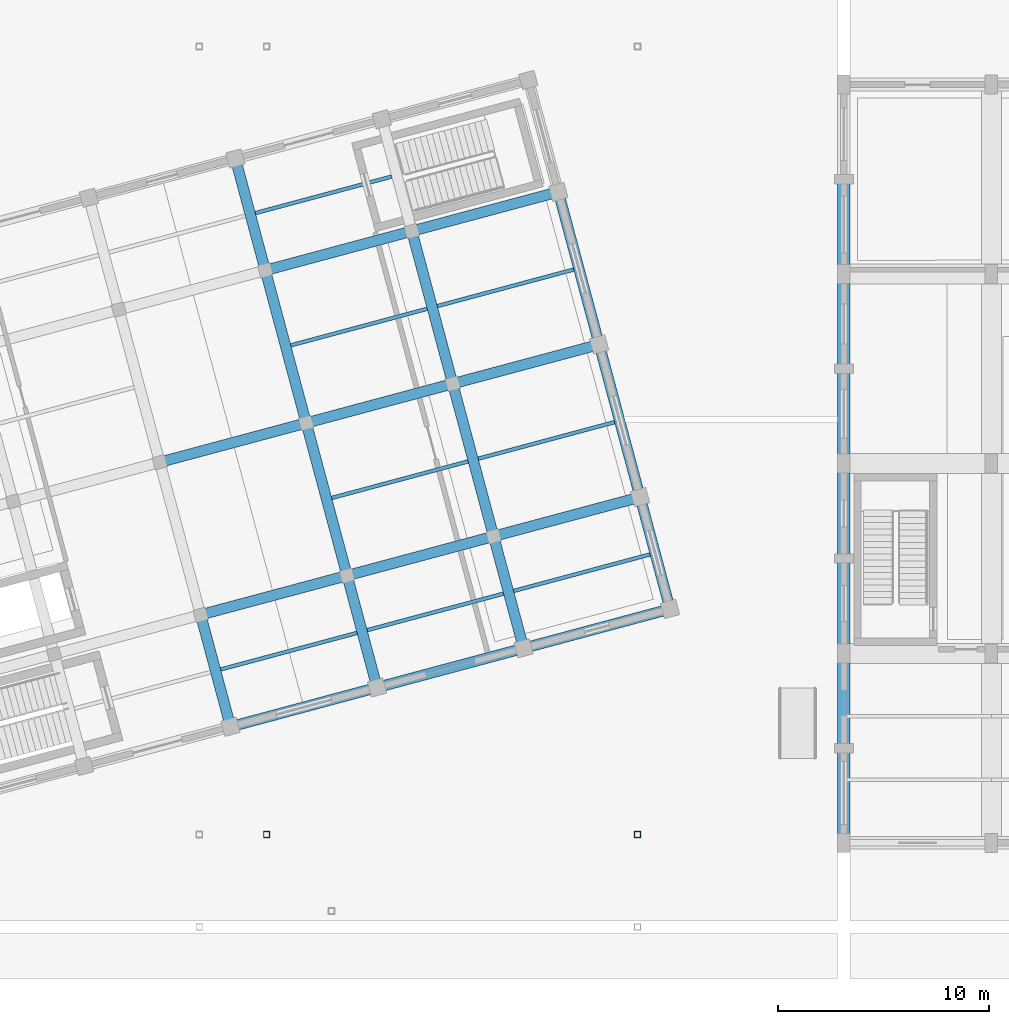
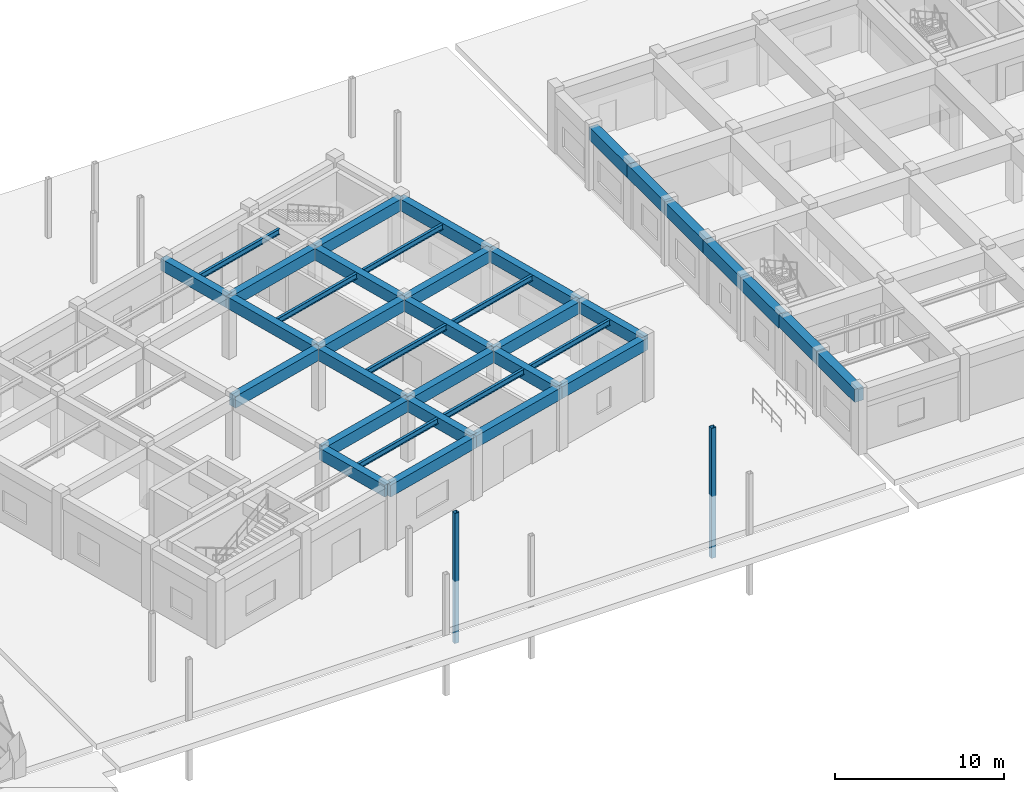
# One storey, part 24 of 47: 37 beams, 2 members.
"""IFC4 building model written with IfcOpenShell, lengths in metres."""

import ifcopenshell
import ifcopenshell.guid

model = None  # the IFC model being written
_history = None  # IfcOwnerHistory: only IFC2X3 demands one
_inside = {}  # id of a spatial element -> (the spatial element, [elements in it])
_under = {}  # id of a project, library or spatial element -> (it, [spatial elements below it])
_declared = {}  # id of a project -> (the project, [libraries it declares])
_typed = {}  # id of a type object -> (the type object, [elements of that type])
_made_of = {}  # id of a material, layer set ... -> (it, [elements and type objects made of it])


def new_model(schema):
    """Start an empty IFC model of exactly this schema.

    Asked for "IFC4X3", IfcOpenShell would pick the latest addendum, in which some entities
    have other attributes; the version numbers below select the first issue.
    IFC2X3 requires an IfcOwnerHistory on every rooted entity: one is made here for all.
    """
    global model, _history
    if schema == "IFC4X3":
        model = ifcopenshell.file(schema_version=(4, 3, 0, 0))
    else:
        model = ifcopenshell.file(schema=schema)
    _inside.clear()
    _under.clear()
    _declared.clear()
    _typed.clear()
    _made_of.clear()
    _history = None
    if model.schema == "IFC2X3":
        org = make("IfcOrganization", Name="unknown")
        user = make(
            "IfcPersonAndOrganization",
            ThePerson=make("IfcPerson", FamilyName="unknown"),
            TheOrganization=org,
        )
        app = make(
            "IfcApplication",
            ApplicationDeveloper=org,
            Version="unknown",
            ApplicationFullName="unknown",
            ApplicationIdentifier="unknown",
        )
        _history = make(
            "IfcOwnerHistory",
            OwningUser=user,
            OwningApplication=app,
            ChangeAction="ADDED",
            CreationDate=0,
        )
    return model


def make(cls, **values):
    """One entity of the class cls with the attributes given. An attribute that is None is left unset."""
    return model.create_entity(
        cls, **{name: value for name, value in values.items() if value is not None}
    )


def rooted(cls, **values):
    """An entity with a GlobalId (a new one), such as an element, a storey or a relation."""
    return make(cls, GlobalId=ifcopenshell.guid.new(), OwnerHistory=_history, **values)


def si_unit(unit_type, name, prefix=None):
    """IfcSIUnit, for example si_unit("LENGTHUNIT", "METRE", prefix="MILLI")."""
    return make("IfcSIUnit", UnitType=unit_type, Prefix=prefix, Name=name)


def assignment(units):
    """IfcUnitAssignment: the units of a project."""
    return None if units is None else make("IfcUnitAssignment", Units=units)


def point(xyz):
    """IfcCartesianPoint."""
    return None if xyz is None else make("IfcCartesianPoint", Coordinates=xyz)


def direction(xyz):
    """IfcDirection."""
    return None if xyz is None else make("IfcDirection", DirectionRatios=xyz)


def frame(location, z_axis=None, x_axis=None):
    """IfcAxis2Placement3D, a coordinate frame: its origin and axes. An axis left out is left unset."""
    return make(
        "IfcAxis2Placement3D",
        Location=point(location),
        Axis=direction(z_axis),
        RefDirection=direction(x_axis),
    )


def frame_2d(location, x_axis=None):
    """IfcAxis2Placement2D, a coordinate frame in the plane: its origin and x axis."""
    return make(
        "IfcAxis2Placement2D", Location=point(location), RefDirection=direction(x_axis)
    )


def origin():
    """The frame at (0, 0, 0) with its axes left unset."""
    return frame((0.0, 0.0, 0.0))


def origin_2d():
    """The frame at (0, 0) in the plane with its x axis left unset."""
    return frame_2d((0.0, 0.0))


def place(relative_to, where):
    """IfcLocalPlacement: puts the frame where relative to a parent placement (None: the world)."""
    return make(
        "IfcLocalPlacement", PlacementRelTo=relative_to, RelativePlacement=where
    )


def context(
    kind, dimensions, precision=None, world=None, true_north=None, identifier=None
):
    """IfcGeometricRepresentationContext, for example the 3D "Model" context."""
    return make(
        "IfcGeometricRepresentationContext",
        ContextIdentifier=identifier,
        ContextType=kind,
        CoordinateSpaceDimension=dimensions,
        Precision=precision,
        WorldCoordinateSystem=world,
        TrueNorth=true_north,
    )


def subcontext(parent, identifier, kind, view, scale=None):
    """IfcGeometricRepresentationSubContext, for example "Body" below "Model"."""
    return make(
        "IfcGeometricRepresentationSubContext",
        ContextIdentifier=identifier,
        ContextType=kind,
        ParentContext=parent,
        TargetScale=scale,
        TargetView=view,
    )


def project(units=None, contexts=None):
    """IfcProject with its units and contexts."""
    return rooted(
        "IfcProject",
        Name="project",
        RepresentationContexts=contexts,
        UnitsInContext=assignment(units),
    )


def spatial(cls, under=None, at=None, **own):
    """A site, building, storey or space (cls), placed at a placement, below another one or the project."""
    s = rooted(cls, ObjectPlacement=at, **own)
    if under is not None:
        _under.setdefault(under.id(), (under, []))[1].append(s)
    return s


def profile(cls, at=None, kind="AREA", **sizes):
    """A parametric profile (cls). Its sizes go by their IFC names, for example OverallWidth=200.0."""
    return make(cls, ProfileType=kind, Position=at, **sizes)


def rectangle(**sizes):
    """IfcRectangleProfileDef."""
    return profile("IfcRectangleProfileDef", **sizes)


def hollow_rectangle(**sizes):
    """IfcRectangleHollowProfileDef."""
    return profile("IfcRectangleHollowProfileDef", **sizes)


def i_section(**sizes):
    """IfcIShapeProfileDef."""
    return profile("IfcIShapeProfileDef", **sizes)


def extrude(swept, where, along, depth):
    """IfcExtrudedAreaSolid: the profile swept, set in the frame where, extruded along a direction by depth."""
    return make(
        "IfcExtrudedAreaSolid",
        SweptArea=swept,
        Position=where,
        ExtrudedDirection=direction(along),
        Depth=depth,
    )


def shape(context_of_items, identifier, shape_type, items):
    """IfcShapeRepresentation: the items that make up one representation, for example the "Body"."""
    return make(
        "IfcShapeRepresentation",
        ContextOfItems=context_of_items,
        RepresentationIdentifier=identifier,
        RepresentationType=shape_type,
        Items=items,
    )


def material(Name=None, Category=None):
    """IfcMaterial."""
    return make("IfcMaterial", Name=Name, Category=Category)


def material_profile(
    of_material, cross_section, Name=None, Category=None, Priority=None
):
    """IfcMaterialProfile: a cross section and its material."""
    return make(
        "IfcMaterialProfile",
        Name=Name,
        Material=of_material,
        Profile=cross_section,
        Priority=Priority,
        Category=Category,
    )


def profile_set(profiles, Name=None, composite=None):
    """IfcMaterialProfileSet."""
    return make(
        "IfcMaterialProfileSet",
        Name=Name,
        MaterialProfiles=profiles,
        CompositeProfile=composite,
    )


def made_of(thing, what):
    """Note that an element or type object is made of a material, layer set ...; save() writes the relation."""
    if what is not None:
        _made_of.setdefault(what.id(), (what, []))[1].append(thing)
    return thing


def type_object(cls, material=None, **own):
    """A type object (cls), such as IfcWallType, which elements share."""
    return made_of(rooted(cls, **own), material)


def element(
    cls,
    number,
    at=None,
    inside=None,
    cuts=None,
    type_object=None,
    material=None,
    context=None,
    identifier="Body",
    shape_type=None,
    held_by="IfcProductDefinitionShape",
    body=None,
    shapes=None,
    **own,
):
    """One element of the class cls, such as IfcWall. Its Tag is "e" and its number.

    at: its placement. inside: the storey or other place that contains it. cuts: it is an
    opening in that element (IfcRelVoidsElement). A single representation is given by context,
    identifier, shape_type and body (its items); several are given by shapes. held_by: the class
    of the entity that holds the representations. save() writes the other relations.
    """
    e = rooted(cls, Tag="e%d" % number, ObjectPlacement=at, **own)
    if body is not None:
        shapes = [shape(context, identifier, shape_type, body)]
    if shapes is not None:
        e.Representation = make(held_by, Representations=shapes)
    if inside is not None:
        _inside.setdefault(inside.id(), (inside, []))[1].append(e)
    if cuts is not None:
        rooted(
            "IfcRelVoidsElement", RelatingBuildingElement=cuts, RelatedOpeningElement=e
        )
    if type_object is not None:
        _typed.setdefault(type_object.id(), (type_object, []))[1].append(e)
    return made_of(e, material)


def aggregate(whole, parts):
    """IfcRelAggregates: a whole, such as a stair, and the parts it consists of."""
    return rooted("IfcRelAggregates", RelatingObject=whole, RelatedObjects=parts)


def save(model, path):
    """Write the relations noted so far, then the file.

    IfcRelAggregates (storeys below a building ...), IfcRelContainedInSpatialStructure (elements
    in a storey), IfcRelDefinesByType, IfcRelAssociatesMaterial and IfcRelDeclares: one each for
    every whole, place, type object, material and project.
    """
    for whole, parts in _under.values():
        aggregate(whole, parts)
    for where, things in _inside.values():
        rooted(
            "IfcRelContainedInSpatialStructure",
            RelatedElements=things,
            RelatingStructure=where,
        )
    for kind, things in _typed.values():
        rooted("IfcRelDefinesByType", RelatedObjects=things, RelatingType=kind)
    for what, things in _made_of.values():
        rooted("IfcRelAssociatesMaterial", RelatedObjects=things, RelatingMaterial=what)
    for by, libraries in _declared.values():
        rooted("IfcRelDeclares", RelatingContext=by, RelatedDefinitions=libraries)
    model.write(path)


model = new_model("IFC4")

# Units and contexts
model_context = context("Model", 3, precision=1e-05, world=origin(), true_north=direction((0.0, 1.0)))
body_context = subcontext(model_context, "Body", "Model", "MODEL_VIEW")
ifc_project = project(units=[si_unit("LENGTHUNIT", "METRE"), si_unit("AREAUNIT", "SQUARE_METRE"), si_unit("VOLUMEUNIT", "CUBIC_METRE"), si_unit("PLANEANGLEUNIT", "RADIAN"), si_unit("MASSUNIT", "GRAM", prefix="KILO")], contexts=[model_context])

# Site, building, storey
site_placement = place(None, origin())
site = spatial("IfcSite", under=ifc_project, at=site_placement, CompositionType="ELEMENT")
building_placement = place(site_placement, origin())
building = spatial("IfcBuilding", under=site, at=building_placement, Name="Ventoquebrada Cableway Terminal", CompositionType="ELEMENT")
storey_placement = place(building_placement, origin())
storey = spatial("IfcBuildingStorey", under=building, at=storey_placement, Name="L00", CompositionType="ELEMENT", Elevation=0.0)

# Beams
ifc_material_1 = material(Name="Concrete C40/50", Category="concrete")
ifc_material_profile_1 = material_profile(ifc_material_1, rectangle(XDim=0.5, YDim=0.85009765625, at=origin_2d()), Name="RC-BM-500X850")
ifc_profile_set_1 = profile_set([ifc_material_profile_1], Name="Concrete C40/50")
beam_type_1 = type_object("IfcBeamType", Name="BM-RC04", PredefinedType="BEAM", material=ifc_profile_set_1)
beam_1_placement = place(storey_placement, frame((65.886962890625, 73.510986328125, 4.02490234375), z_axis=(-0.258690231517, 0.96596033258, 0.0), x_axis=(-0.96596033258, -0.258690231517, 0.0)))
element("IfcBeam", 1, at=beam_1_placement, inside=storey, type_object=beam_type_1, Name="Splayed station girder FBM-0962", PredefinedType="BEAM", context=body_context, shape_type="SweptSolid", body=[
    extrude(rectangle(XDim=0.5, YDim=0.85009765625, at=origin_2d()), origin(), (0.0, 0.0, 1.0), 5.500244140625),
])
beam_2_placement = place(storey_placement, frame((72.842041015625, 75.375, 4.02490234375), z_axis=(-0.258941703614, 0.965892951693, 0.0), x_axis=(-0.965892951693, -0.258941703614, 0.0)))
element("IfcBeam", 2, at=beam_2_placement, inside=storey, type_object=beam_type_1, Name="Splayed station girder FBM-0966", PredefinedType="BEAM", context=body_context, shape_type="SweptSolid", body=[
    extrude(rectangle(XDim=0.5, YDim=0.85009765625, at=origin_2d()), origin(), (0.0, 0.0, 1.0), 5.49951171875),
])
beam_3_placement = place(storey_placement, frame((71.41796875, 80.68701171875, 4.02490234375), z_axis=(-0.258776761059, 0.965937155273, 0.0), x_axis=(-0.965937155273, -0.258776761059, 0.0)))
element("IfcBeam", 3, at=beam_3_placement, inside=storey, type_object=beam_type_1, Name="Splayed station girder FBM-0967", PredefinedType="BEAM", context=body_context, shape_type="SweptSolid", body=[
    extrude(rectangle(XDim=0.5, YDim=0.85009765625, at=origin_2d()), origin(), (0.0, 0.0, 1.0), 7.500244140625),
])
beam_4_placement = place(storey_placement, frame((69.47705078125, 87.931884765625, 4.02490234375), z_axis=(-0.258831545324, 0.965922476778, 0.0), x_axis=(-0.965922476778, -0.258831545324, 0.0)))
element("IfcBeam", 4, at=beam_4_placement, inside=storey, type_object=beam_type_1, Name="Splayed station girder FBM-0968", PredefinedType="BEAM", context=body_context, shape_type="SweptSolid", body=[
    extrude(rectangle(XDim=0.5, YDim=0.85009765625, at=origin_2d()), origin(), (0.0, 0.0, 1.0), 7.499755859375),
])
beam_5_placement = place(storey_placement, frame((67.535888671875, 95.176025390625, 4.02490234375), z_axis=(-0.258690231517, 0.96596033258, 0.0), x_axis=(-0.96596033258, -0.258690231517, 0.0)))
element("IfcBeam", 5, at=beam_5_placement, inside=storey, type_object=beam_type_1, Name="Splayed station girder FBM-0969", PredefinedType="BEAM", context=body_context, shape_type="SweptSolid", body=[
    extrude(rectangle(XDim=0.5, YDim=0.85009765625, at=origin_2d()), origin(), (0.0, 0.0, 1.0), 5.500244140625),
])
beam_6_placement = place(storey_placement, frame((79.797119140625, 77.238037109375, 4.02490234375), z_axis=(-0.258897298886, 0.965904854853, 0.0), x_axis=(-0.965904854853, -0.258897298886, 0.0)))
element("IfcBeam", 6, at=beam_6_placement, inside=storey, type_object=beam_type_1, Name="Splayed station girder FBM-0970", PredefinedType="BEAM", context=body_context, shape_type="SweptSolid", body=[
    extrude(rectangle(XDim=0.5, YDim=0.85009765625, at=origin_2d()), origin(), (0.0, 0.0, 1.0), 5.50048828125),
])
beam_7_placement = place(storey_placement, frame((78.373046875, 82.551025390625, 4.02490234375), z_axis=(-0.258839684269, 0.965920295805, 0.0), x_axis=(-0.965920295805, -0.258839684269, 0.0)))
element("IfcBeam", 7, at=beam_7_placement, inside=storey, type_object=beam_type_1, Name="Splayed station girder FBM-0971", PredefinedType="BEAM", context=body_context, shape_type="SweptSolid", body=[
    extrude(rectangle(XDim=0.5, YDim=0.85009765625, at=origin_2d()), origin(), (0.0, 0.0, 1.0), 7.49951171875),
])
beam_8_placement = place(storey_placement, frame((76.431884765625, 89.794921875, 4.02490234375), z_axis=(-0.258768624905, 0.96593933493, 0.0), x_axis=(-0.96593933493, -0.258768624905, 0.0)))
element("IfcBeam", 8, at=beam_8_placement, inside=storey, type_object=beam_type_1, Name="Splayed station girder FBM-0972", PredefinedType="BEAM", context=body_context, shape_type="SweptSolid", body=[
    extrude(rectangle(XDim=0.5, YDim=0.85009765625, at=origin_2d()), origin(), (0.0, 0.0, 1.0), 7.50048828125),
])
beam_9_placement = place(storey_placement, frame((86.7509765625, 79.10205078125, 4.02490234375), z_axis=(-0.25877602824, 0.965937351596, 0.0), x_axis=(-0.965937351596, -0.25877602824, 0.0)))
element("IfcBeam", 9, at=beam_9_placement, inside=storey, type_object=beam_type_1, Name="Splayed station girder FBM-0974", PredefinedType="BEAM", context=body_context, shape_type="SweptSolid", body=[
    extrude(rectangle(XDim=0.5, YDim=0.85009765625, at=origin_2d()), origin(), (0.0, 0.0, 1.0), 5.499267578125),
])
beam_10_placement = place(storey_placement, frame((85.327880859375, 84.4140625, 4.02490234375), z_axis=(-0.258776761059, 0.965937155273, 0.0), x_axis=(-0.965937155273, -0.258776761059, 0.0)))
element("IfcBeam", 10, at=beam_10_placement, inside=storey, type_object=beam_type_1, Name="Splayed station girder FBM-0975", PredefinedType="BEAM", context=body_context, shape_type="SweptSolid", body=[
    extrude(rectangle(XDim=0.5, YDim=0.85009765625, at=origin_2d()), origin(), (0.0, 0.0, 1.0), 7.500244140625),
])
beam_11_placement = place(storey_placement, frame((83.386962890625, 91.658935546875, 4.02490234375), z_axis=(-0.258801172479, 0.965930615067, 0.0), x_axis=(-0.965930615067, -0.258801172479, 0.0)))
element("IfcBeam", 11, at=beam_11_placement, inside=storey, type_object=beam_type_1, Name="Splayed station girder FBM-0976", PredefinedType="BEAM", context=body_context, shape_type="SweptSolid", body=[
    extrude(rectangle(XDim=0.5, YDim=0.85009765625, at=origin_2d()), origin(), (0.0, 0.0, 1.0), 7.499755859375),
])
beam_12_placement = place(storey_placement, frame((65.886962890625, 73.510986328125, 4.02490234375), z_axis=(0.96591172503, 0.258871665986, 0.0), x_axis=(-0.258871665986, 0.96591172503, 0.0)))
element("IfcBeam", 12, at=beam_12_placement, inside=storey, type_object=beam_type_1, Name="Splayed station girder FBM-0980", PredefinedType="BEAM", context=body_context, shape_type="SweptSolid", body=[
    extrude(rectangle(XDim=0.5, YDim=0.85009765625, at=origin_2d()), origin(), (0.0, 0.0, 1.0), 7.200439453125),
])
beam_13_placement = place(storey_placement, frame((72.842041015625, 75.375, 4.02490234375), z_axis=(0.965945630245, 0.258745124417, 0.0), x_axis=(-0.258745124417, 0.965945630245, 0.0)))
element("IfcBeam", 13, at=beam_13_placement, inside=storey, type_object=beam_type_1, Name="Splayed station girder FBM-0981", PredefinedType="BEAM", context=body_context, shape_type="SweptSolid", body=[
    extrude(rectangle(XDim=0.5, YDim=0.85009765625, at=origin_2d()), origin(), (0.0, 0.0, 1.0), 7.2001953125),
])
beam_14_placement = place(storey_placement, frame((79.797119140625, 77.238037109375, 4.02490234375), z_axis=(0.965900361292, 0.258914063071, 0.0), x_axis=(-0.258914063071, 0.965900361292, 0.0)))
element("IfcBeam", 14, at=beam_14_placement, inside=storey, type_object=beam_type_1, Name="Splayed station girder FBM-0982", PredefinedType="BEAM", context=body_context, shape_type="SweptSolid", body=[
    extrude(rectangle(XDim=0.5, YDim=0.85009765625, at=origin_2d()), origin(), (0.0, 0.0, 1.0), 7.199462890625),
])
beam_15_placement = place(storey_placement, frame((64.464111328125, 78.823974609375, 4.02490234375), z_axis=(0.965934277216, 0.258787503754, 0.0), x_axis=(-0.258787503754, 0.965934277216, 0.0)))
element("IfcBeam", 15, at=beam_15_placement, inside=storey, type_object=beam_type_1, Name="Splayed station girder FBM-0985", PredefinedType="BEAM", context=body_context, shape_type="SweptSolid", body=[
    extrude(rectangle(XDim=0.5, YDim=0.85009765625, at=origin_2d()), origin(), (0.0, 0.0, 1.0), 7.19921875),
])
beam_16_placement = place(storey_placement, frame((71.41796875, 80.68701171875, 4.02490234375), z_axis=(0.96591172503, 0.258871665986, 0.0), x_axis=(-0.258871665986, 0.96591172503, 0.0)))
element("IfcBeam", 16, at=beam_16_placement, inside=storey, type_object=beam_type_1, Name="Splayed station girder FBM-0986", PredefinedType="BEAM", context=body_context, shape_type="SweptSolid", body=[
    extrude(rectangle(XDim=0.5, YDim=0.85009765625, at=origin_2d()), origin(), (0.0, 0.0, 1.0), 7.200439453125),
])
beam_17_placement = place(storey_placement, frame((78.373046875, 82.551025390625, 4.02490234375), z_axis=(0.965943360086, 0.258753599214, 0.0), x_axis=(-0.258753599214, 0.965943360086, 0.0)))
element("IfcBeam", 17, at=beam_17_placement, inside=storey, type_object=beam_type_1, Name="Splayed station girder FBM-0987", PredefinedType="BEAM", context=body_context, shape_type="SweptSolid", body=[
    extrude(rectangle(XDim=0.5, YDim=0.85009765625, at=origin_2d()), origin(), (0.0, 0.0, 1.0), 7.199951171875),
])
beam_18_placement = place(storey_placement, frame((62.52294921875, 86.068115234375, 4.02490234375), z_axis=(0.965911114263, 0.258873944891, 0.0), x_axis=(-0.258873944891, 0.965911114263, 0.0)))
element("IfcBeam", 18, at=beam_18_placement, inside=storey, type_object=beam_type_1, Name="Splayed station girder FBM-0990", PredefinedType="BEAM", context=body_context, shape_type="SweptSolid", body=[
    extrude(rectangle(XDim=0.5, YDim=0.85009765625, at=origin_2d()), origin(), (0.0, 0.0, 1.0), 7.199462890625),
])
beam_19_placement = place(storey_placement, frame((69.47705078125, 87.931884765625, 4.02490234375), z_axis=(0.965943360086, 0.258753599214, 0.0), x_axis=(-0.258753599214, 0.965943360086, 0.0)))
element("IfcBeam", 19, at=beam_19_placement, inside=storey, type_object=beam_type_1, Name="Splayed station girder FBM-0991", PredefinedType="BEAM", context=body_context, shape_type="SweptSolid", body=[
    extrude(rectangle(XDim=0.5, YDim=0.85009765625, at=origin_2d()), origin(), (0.0, 0.0, 1.0), 7.199951171875),
])
for number, where, z_axis, x_axis, name in (
    (20, (76.431884765625, 89.794921875, 4.02490234375), (0.96591172503, 0.258871665986, 0.0), (-0.258871665986, 0.96591172503, 0.0), "Splayed station girder FBM-0992"),
    (21, (67.535888671875, 95.176025390625, 4.02490234375), (0.96591172503, 0.258871665986, 0.0), (-0.258871665986, 0.96591172503, 0.0), "Splayed station girder FBM-0996"),
):
    element("IfcBeam", number, at=place(storey_placement, frame(where, z_axis=z_axis, x_axis=x_axis)), inside=storey, type_object=beam_type_1, Name=name, PredefinedType="BEAM", context=body_context, shape_type="SweptSolid", body=[
        extrude(rectangle(XDim=0.5, YDim=0.85009765625, at=origin_2d()), origin(), (0.0, 0.0, 1.0), 7.200439453125),
    ])
beam_20_placement = place(storey_placement, frame((74.490966796875, 97.0400390625, 4.02490234375), z_axis=(0.965945630245, 0.258745124417, 0.0), x_axis=(-0.258745124417, 0.965945630245, 0.0)))
element("IfcBeam", 22, at=beam_20_placement, inside=storey, type_object=beam_type_1, Name="Splayed station girder FBM-0997", PredefinedType="BEAM", context=body_context, shape_type="SweptSolid", body=[
    extrude(rectangle(XDim=0.5, YDim=0.85009765625, at=origin_2d()), origin(), (0.0, 0.0, 1.0), 7.2001953125),
])
ifc_material_profile_2 = material_profile(ifc_material_1, rectangle(XDim=0.60009765625, YDim=0.949951171875, at=origin_2d()), Name="RC-BM-600X950")
ifc_profile_set_2 = profile_set([ifc_material_profile_2], Name="Concrete C40/50")
beam_type_2 = type_object("IfcBeamType", Name="BM-RC05", PredefinedType="BEAM", material=ifc_profile_set_2)
for number, where, z_axis, x_axis, name in (
    (23, (95.0, 68.0, 4.054931640625), (0.0, 1.0, 0.0), (-1.0, 0.0, 0.0), "Perimeter spandrel beam FBM-0599"),
    (24, (95.0, 72.5, 4.054931640625), (0.0, 1.0, 0.0), (-1.0, 0.0, 0.0), "Perimeter spandrel beam FBM-0600"),
    (25, (95.0, 77.0, 3.97509765625), (0.0, 1.0, 0.0), (-1.0, 0.0, 0.0), "Perimeter spandrel beam FBM-0601"),
    (26, (95.0, 81.5, 3.97509765625), (0.0, 1.0, 0.0), (-1.0, 0.0, 0.0), "Perimeter spandrel beam FBM-0602"),
    (27, (95.0, 86.0, 3.97509765625), (0.0, 1.0, 0.0), (-1.0, 0.0, 0.0), "Perimeter spandrel beam FBM-0603"),
    (28, (95.0, 90.5, 3.97509765625), (0.0, 1.0, 0.0), (-1.0, 0.0, 0.0), "Perimeter spandrel beam FBM-0604"),
    (29, (95.0, 95.0, 3.97509765625), (0.0, 1.0, 0.0), (-1.0, 0.0, 0.0), "Perimeter spandrel beam FBM-0605"),
):
    element("IfcBeam", number, at=place(storey_placement, frame(where, z_axis=z_axis, x_axis=x_axis)), inside=storey, type_object=beam_type_2, Name=name, PredefinedType="BEAM", context=body_context, shape_type="SweptSolid", body=[
        extrude(rectangle(XDim=0.60009765625, YDim=0.949951171875, at=origin_2d()), origin(), (0.0, 0.0, 1.0), 4.5),
    ])
ifc_material_2 = material(Name="Steel ASTM A992 Grade 50", Category="steel")
ifc_material_profile_3 = material_profile(ifc_material_2, i_section(OverallWidth=0.177978515625, OverallDepth=0.406005859375, WebThickness=0.0078125, FlangeThickness=0.0126953125, at=origin_2d()), Name="W16X40")
ifc_profile_set_3 = profile_set([ifc_material_profile_3], Name="Steel ASTM A992 Grade 50")
beam_type_3 = type_object("IfcBeamType", Name="JST-ST06", PredefinedType="JOIST", material=ifc_profile_set_3)
beam_21_placement = place(storey_placement, frame((65.4169921875, 76.23193359375, 4.2470703125), z_axis=(0.965926419694, 0.258816830476, 0.0), x_axis=(-0.258816830476, 0.965926419694, 0.0)))
element("IfcBeam", 30, at=beam_21_placement, inside=storey, type_object=beam_type_3, Name="Splayed deck joist FBM-1008", PredefinedType="JOIST", context=body_context, shape_type="SweptSolid", body=[
    extrude(i_section(OverallWidth=0.177978515625, OverallDepth=0.406005859375, WebThickness=0.0078125, FlangeThickness=0.0126953125, at=origin_2d()), origin(), (0.0, 0.0, 1.0), 6.7001953125),
])
beam_22_placement = place(storey_placement, frame((72.3720703125, 78.095947265625, 4.2470703125), z_axis=(0.965916654352, 0.258853272811, 0.0), x_axis=(-0.258853272811, 0.965916654352, 0.0)))
element("IfcBeam", 31, at=beam_22_placement, inside=storey, type_object=beam_type_3, Name="Splayed deck joist FBM-1010", PredefinedType="JOIST", context=body_context, shape_type="SweptSolid", body=[
    extrude(i_section(OverallWidth=0.177978515625, OverallDepth=0.406005859375, WebThickness=0.0078125, FlangeThickness=0.0126953125, at=origin_2d()), origin(), (0.0, 0.0, 1.0), 6.69921875),
])
for number, where, z_axis, x_axis, name in (
    (32, (70.68896484375, 84.3740234375, 4.2470703125), (0.965935528529, 0.258782833136, 0.0), (-0.258782833136, 0.965935528529, 0.0), "Splayed deck joist FBM-1011"),
    (33, (68.748046875, 91.618896484375, 4.2470703125), (0.965926419694, 0.258816830476, 0.0), (-0.258816830476, 0.965926419694, 0.0), "Splayed deck joist FBM-1012"),
):
    element("IfcBeam", number, at=place(storey_placement, frame(where, z_axis=z_axis, x_axis=x_axis)), inside=storey, type_object=beam_type_3, Name=name, PredefinedType="JOIST", context=body_context, shape_type="SweptSolid", body=[
        extrude(i_section(OverallWidth=0.177978515625, OverallDepth=0.406005859375, WebThickness=0.0078125, FlangeThickness=0.0126953125, at=origin_2d()), origin(), (0.0, 0.0, 1.0), 6.7001953125),
    ])
for number, where, z_axis, x_axis, name in (
    (34, (67.06591796875, 97.89697265625, 4.2470703125), (0.965928860385, 0.258807721438, 0.0), (-0.258807721438, 0.965928860385, 0.0), "Splayed deck joist FBM-1013"),
    (35, (79.325927734375, 79.958984375, 4.2470703125), (0.965928860385, 0.258807721438, 0.0), (-0.258807721438, 0.965928860385, 0.0), "Splayed deck joist FBM-1014"),
):
    element("IfcBeam", number, at=place(storey_placement, frame(where, z_axis=z_axis, x_axis=x_axis)), inside=storey, type_object=beam_type_3, Name=name, PredefinedType="JOIST", context=body_context, shape_type="SweptSolid", body=[
        extrude(i_section(OverallWidth=0.177978515625, OverallDepth=0.406005859375, WebThickness=0.0078125, FlangeThickness=0.0126953125, at=origin_2d()), origin(), (0.0, 0.0, 1.0), 6.700439453125),
    ])
beam_23_placement = place(storey_placement, frame((77.64404296875, 86.238037109375, 4.2470703125), z_axis=(0.965935528529, 0.258782833136, 0.0), x_axis=(-0.258782833136, 0.965935528529, 0.0)))
element("IfcBeam", 36, at=beam_23_placement, inside=storey, type_object=beam_type_3, Name="Splayed deck joist FBM-1015", PredefinedType="JOIST", context=body_context, shape_type="SweptSolid", body=[
    extrude(i_section(OverallWidth=0.177978515625, OverallDepth=0.406005859375, WebThickness=0.0078125, FlangeThickness=0.0126953125, at=origin_2d()), origin(), (0.0, 0.0, 1.0), 6.7001953125),
])
beam_24_placement = place(storey_placement, frame((75.702880859375, 93.48193359375, 4.2470703125), z_axis=(0.965928860385, 0.258807721438, 0.0), x_axis=(-0.258807721438, 0.965928860385, 0.0)))
element("IfcBeam", 37, at=beam_24_placement, inside=storey, type_object=beam_type_3, Name="Splayed deck joist FBM-1016", PredefinedType="JOIST", context=body_context, shape_type="SweptSolid", body=[
    extrude(i_section(OverallWidth=0.177978515625, OverallDepth=0.406005859375, WebThickness=0.0078125, FlangeThickness=0.0126953125, at=origin_2d()), origin(), (0.0, 0.0, 1.0), 6.700439453125),
])

# Members
ifc_material_3 = material(Name="Steel ASTM A500 Grade C", Category="steel")
ifc_material_profile_4 = material_profile(ifc_material_3, hollow_rectangle(XDim=0.300048828125, YDim=0.300048828125, WallThickness=0.01611328125, at=origin_2d()), Name="HSS300X300X16")
ifc_profile_set_4 = profile_set([ifc_material_profile_4], Name="Steel ASTM A500 Grade C")
member_type = type_object("IfcMemberType", Name="PST-GS01", PredefinedType="STRUT", material=ifc_profile_set_4)
for number, where, z_axis, x_axis, name in (
    (38, (85.199951171875, 68.39990234375, -4.5), (0.0, 0.0, 1.0), (1.0, 0.0, 0.0), "Plaza canopy support post CN-PS-0559"),
    (39, (67.60009765625, 68.39990234375, -4.5), (0.0, 0.0, 1.0), (1.0, 0.0, 0.0), "Plaza canopy support post CN-PS-0560"),
):
    element("IfcMember", number, at=place(storey_placement, frame(where, z_axis=z_axis, x_axis=x_axis)), inside=storey, type_object=member_type, Name=name, PredefinedType="STRUT", context=body_context, shape_type="SweptSolid", body=[
        extrude(hollow_rectangle(XDim=0.300048828125, YDim=0.300048828125, WallThickness=0.01611328125, at=origin_2d()), origin(), (0.0, 0.0, 1.0), 9.431884765625),
    ])

save(model, "model.ifc")
